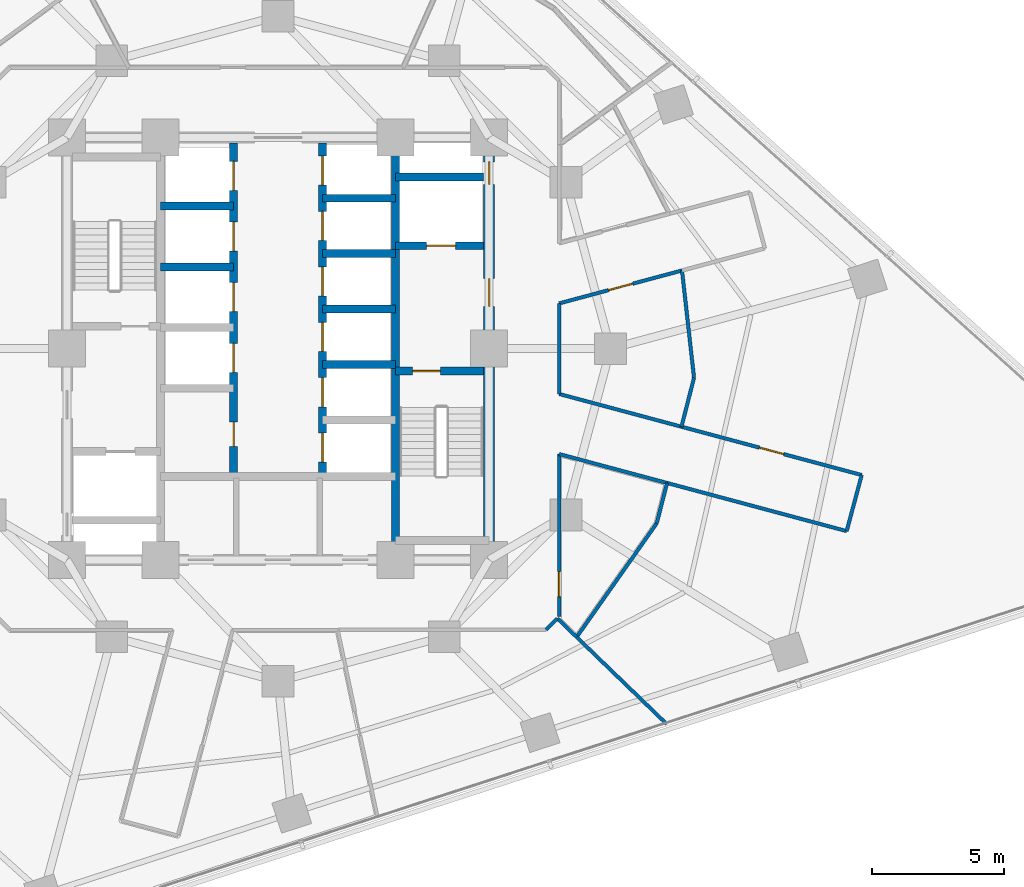
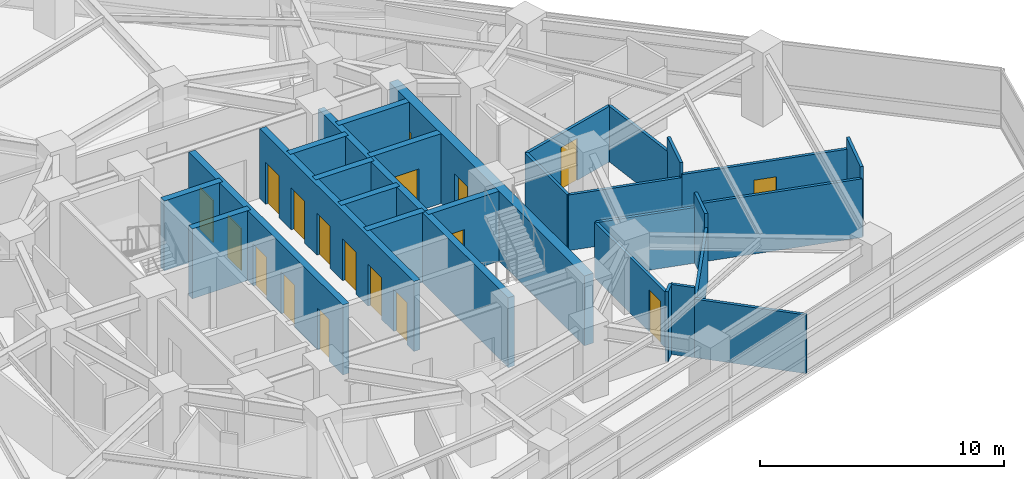
# One storey, part 8 of 13: 28 walls, 18 doors, 18 openings.
"""IFC4 building model written with IfcOpenShell, lengths in metres."""

from ifc_helpers import new_model, si_unit, direction, frame, frame_2d, origin, place, context, subcontext, project, spatial, rectangle, extrude, material, layer, layer_set, type_object, element, fill, save


model = new_model("IFC4")

# Units and contexts
model_context = context("Model", 3, precision=1e-05, world=origin(), true_north=direction((0.0, 1.0)))
body_context = subcontext(model_context, "Body", "Model", "MODEL_VIEW")
ifc_project = project(units=[si_unit("LENGTHUNIT", "METRE"), si_unit("AREAUNIT", "SQUARE_METRE"), si_unit("VOLUMEUNIT", "CUBIC_METRE"), si_unit("PLANEANGLEUNIT", "RADIAN"), si_unit("MASSUNIT", "GRAM", prefix="KILO")], contexts=[model_context])

# Site, building, storey
site_placement = place(None, origin())
site = spatial("IfcSite", under=ifc_project, at=site_placement, CompositionType="ELEMENT")
building_placement = place(site_placement, origin())
building = spatial("IfcBuilding", under=site, at=building_placement, Name="Terralouvre Media Tower", CompositionType="ELEMENT")
storey_placement = place(building_placement, frame((0.0, 0.0, 108.800048828125)))
storey = spatial("IfcBuildingStorey", under=building, at=storey_placement, Name="L27", CompositionType="ELEMENT", Elevation=108.800048828125)

# Wall
ifc_material_1 = material(Name="Concrete C50/60", Category="concrete")
ifc_layer_1 = layer(ifc_material_1, 0.300048828125, Name="Core Internal Shaft Wall CW-300")
ifc_layer_set_1 = layer_set([ifc_layer_1], Name="Concrete C50/60")
wall_type_1 = type_object("IfcWallType", Name="Core Internal Shaft Wall CW-300", PredefinedType="SHEAR", material=ifc_layer_set_1)
wall_1_placement = place(storey_placement, frame((4.449951171875, -7.7900390625, 0.0), z_axis=(0.0, 0.0, 1.0), x_axis=(0.0, 1.0, 0.0)))
element("IfcWall", 1, at=wall_1_placement, inside=storey, type_object=wall_type_1, Name="L27 Core Shaft Wall SPE", PredefinedType="SHEAR", context=body_context, shape_type="SweptSolid", body=[
    extrude(rectangle(XDim=15.580078125, YDim=0.300048828125, at=frame_2d((7.7900390625, 0.0))), origin(), (0.0, 0.0, 1.0), 3.5),
])

# Wall, opening, door
wall_2_placement = place(storey_placement, frame((4.449951171875, -0.85009765625, 0.0), z_axis=(0.0, 0.0, 1.0), x_axis=(1.0, 0.0, 0.0)))
wall_2 = element("IfcWall", 2, at=wall_2_placement, inside=storey, type_object=wall_type_1, Name="L27 Core Shaft Wall ST2D", PredefinedType="SHEAR", context=body_context, shape_type="SweptSolid", body=[
    extrude(rectangle(XDim=3.340087890625, YDim=0.300048828125, at=frame_2d((1.669921875, 0.0))), origin(), (0.0, 0.0, 1.0), 3.5),
])
opening_1_placement = place(wall_2_placement, frame((0.64990234375, 0.0, 0.0)))
opening_1 = element("IfcOpeningElement", 3, at=opening_1_placement, cuts=wall_2, Name="Opening FD-01-105X215", PredefinedType="OPENING", context=body_context, shape_type="SweptSolid", body=[
    extrude(rectangle(XDim=1.050048828125, YDim=2.14990234375, at=frame_2d((0.52490234375, 1.074951171875))), frame((0.0, 0.159912109375, 0.0), z_axis=(0.0, -1.0, 0.0), x_axis=(1.0, 0.0, 0.0)), (0.0, 0.0, 1.0), 0.320068359375),
])
ifc_material_2 = material(Name="Galvanised steel fire-resisting leaf", Category="steel")
door_type_1 = type_object("IfcDoorType", Name="Stair and Firefighting Lobby Fire Door FD-01 (1050x2150)", OperationType="NOTDEFINED", PredefinedType="DOOR", material=ifc_material_2)
door_1_placement = place(opening_1_placement, origin())
door_1 = element("IfcDoor", 4, at=door_1_placement, inside=storey, type_object=door_type_1, Name="L27 ST-02 Exit Stair Door", OperationType="SINGLE_SWING_RIGHT", OverallHeight=2.14990234375, OverallWidth=1.050048828125, PredefinedType="DOOR", context=body_context, shape_type="SweptSolid", body=[
    extrude(rectangle(XDim=1.050048828125, YDim=2.14990234375, at=frame_2d((0.52490234375, 1.074951171875))), frame((0.0, 0.02490234375, 0.0), z_axis=(0.0, -1.0, 0.0), x_axis=(1.0, 0.0, 0.0)), (0.0, 0.0, 1.0), 0.050048828125),
])
fill(opening_1, door_1)

wall_3_placement = place(storey_placement, frame((4.449951171875, 3.89990234375, 0.0), z_axis=(0.0, 0.0, 1.0), x_axis=(1.0, 0.0, 0.0)))
wall_3 = element("IfcWall", 5, at=wall_3_placement, inside=storey, type_object=wall_type_1, Name="L27 Core Shaft Wall FF2S", PredefinedType="SHEAR", context=body_context, shape_type="SweptSolid", body=[
    extrude(rectangle(XDim=3.340087890625, YDim=0.300048828125, at=frame_2d((1.669921875, 0.0))), origin(), (0.0, 0.0, 1.0), 3.5),
])
opening_2_placement = place(wall_3_placement, frame((1.179931640625, 0.0, 0.0)))
opening_2 = element("IfcOpeningElement", 6, at=opening_2_placement, cuts=wall_3, Name="Opening LD-FF", PredefinedType="OPENING", context=body_context, shape_type="SweptSolid", body=[
    extrude(rectangle(XDim=1.10009765625, YDim=2.10009765625, at=frame_2d((0.550048828125, 1.050048828125))), frame((0.0, 0.159912109375, 0.0), z_axis=(0.0, -1.0, 0.0), x_axis=(1.0, 0.0, 0.0)), (0.0, 0.0, 1.0), 0.320068359375),
])
ifc_material_3 = material(Name="Stainless steel 316 handrail and balustrade", Category="steel")
door_type_2 = type_object("IfcDoorType", Name="Firefighting Lift Sliding Landing Door LD-FF", OperationType="SLIDING_TO_LEFT", PredefinedType="DOOR", material=ifc_material_3)
door_2_placement = place(opening_2_placement, origin())
door_2 = element("IfcDoor", 7, at=door_2_placement, inside=storey, type_object=door_type_2, Name="L27 Firefighting Lift FFL-02 Landing Door", OperationType="SLIDING_TO_LEFT", OverallHeight=2.10009765625, OverallWidth=1.10009765625, PredefinedType="DOOR", context=body_context, shape_type="SweptSolid", body=[
    extrude(rectangle(XDim=1.10009765625, YDim=2.10009765625, at=frame_2d((0.550048828125, 1.050048828125))), frame((0.0, 0.02490234375, 0.0), z_axis=(0.0, -1.0, 0.0), x_axis=(1.0, 0.0, 0.0)), (0.0, 0.0, 1.0), 0.050048828125),
])
fill(opening_2, door_2)

# Wall
wall_4_placement = place(storey_placement, frame((4.449951171875, 6.5, 0.0), z_axis=(0.0, 0.0, 1.0), x_axis=(1.0, 0.0, 0.0)))
element("IfcWall", 8, at=wall_4_placement, inside=storey, type_object=wall_type_1, Name="L27 Core Shaft Wall FF2N", PredefinedType="SHEAR", context=body_context, shape_type="SweptSolid", body=[
    extrude(rectangle(XDim=3.340087890625, YDim=0.300048828125, at=frame_2d((1.669921875, 0.0))), origin(), (0.0, 0.0, 1.0), 3.5),
])

# Wall, openings, doors
wall_5_placement = place(storey_placement, frame((-1.679931640625, -4.85009765625, 0.0), z_axis=(0.0, 0.0, 1.0), x_axis=(0.0, 1.0, 0.0)))
wall_5 = element("IfcWall", 9, at=wall_5_placement, inside=storey, type_object=wall_type_1, Name="L27 Core Shaft Wall LBW", PredefinedType="SHEAR", context=body_context, shape_type="SweptSolid", body=[
    extrude(rectangle(XDim=12.64013671875, YDim=0.300048828125, at=frame_2d((6.320068359375, 0.0))), origin(), (0.0, 0.0, 1.0), 3.5),
])
opening_3_placement = place(wall_5_placement, frame((3.949951171875, 0.0, 0.0)))
opening_3 = element("IfcOpeningElement", 10, at=opening_3_placement, cuts=wall_5, Name="Opening LD-PL", PredefinedType="OPENING", context=body_context, shape_type="SweptSolid", body=[
    extrude(rectangle(XDim=1.10009765625, YDim=2.10009765625, at=frame_2d((0.550048828125, 1.050048828125))), frame((0.0, 0.159912109375, 0.0), z_axis=(0.0, -1.0, 0.0), x_axis=(1.0, 0.0, 0.0)), (0.0, 0.0, 1.0), 0.320068359375),
])
opening_4_placement = place(wall_5_placement, frame((6.25, 0.0, 0.0)))
opening_4 = element("IfcOpeningElement", 11, at=opening_4_placement, cuts=wall_5, Name="Opening LD-PL", PredefinedType="OPENING", context=body_context, shape_type="SweptSolid", body=[
    extrude(rectangle(XDim=1.10009765625, YDim=2.10009765625, at=frame_2d((0.550048828125, 1.050048828125))), frame((0.0, 0.159912109375, 0.0), z_axis=(0.0, -1.0, 0.0), x_axis=(1.0, 0.0, 0.0)), (0.0, 0.0, 1.0), 0.320068359375),
])
opening_5_placement = place(wall_5_placement, frame((8.550048828125, 0.0, 0.0)))
opening_5 = element("IfcOpeningElement", 12, at=opening_5_placement, cuts=wall_5, Name="Opening LD-PL", PredefinedType="OPENING", context=body_context, shape_type="SweptSolid", body=[
    extrude(rectangle(XDim=1.10009765625, YDim=2.10009765625, at=frame_2d((0.550048828125, 1.050048828125))), frame((0.0, 0.159912109375, 0.0), z_axis=(0.0, -1.0, 0.0), x_axis=(1.0, 0.0, 0.0)), (0.0, 0.0, 1.0), 0.320068359375),
])
opening_6_placement = place(wall_5_placement, frame((10.85009765625, 0.0, 0.0)))
opening_6 = element("IfcOpeningElement", 13, at=opening_6_placement, cuts=wall_5, Name="Opening LD-PL", PredefinedType="OPENING", context=body_context, shape_type="SweptSolid", body=[
    extrude(rectangle(XDim=1.10009765625, YDim=2.10009765625, at=frame_2d((0.550048828125, 1.050048828125))), frame((0.0, 0.159912109375, 0.0), z_axis=(0.0, -1.0, 0.0), x_axis=(1.0, 0.0, 0.0)), (0.0, 0.0, 1.0), 0.320068359375),
])
opening_7_placement = place(wall_5_placement, frame((1.14990234375, 0.0, 0.0)))
opening_7 = element("IfcOpeningElement", 14, at=opening_7_placement, cuts=wall_5, Name="Opening FD-05-92X210", PredefinedType="OPENING", context=body_context, shape_type="SweptSolid", body=[
    extrude(rectangle(XDim=0.919921875, YDim=2.10009765625, at=frame_2d((0.4599609375, 1.050048828125))), frame((0.0, 0.159912109375, 0.0), z_axis=(0.0, -1.0, 0.0), x_axis=(1.0, 0.0, 0.0)), (0.0, 0.0, 1.0), 0.320068359375),
])
ifc_material_4 = material(Name="Galvanised steel fire-resisting leaf", Category="steel")
door_type_3 = type_object("IfcDoorType", Name="Core Accessible Closet Fire Door FD-05 (920x2100)", OperationType="NOTDEFINED", PredefinedType="DOOR", material=ifc_material_4)
door_3_placement = place(opening_7_placement, origin())
door_3 = element("IfcDoor", 15, at=door_3_placement, inside=storey, type_object=door_type_3, Name="L27 Core Cleaners Closet Door", OperationType="SINGLE_SWING_LEFT", OverallHeight=2.10009765625, OverallWidth=0.919921875, PredefinedType="DOOR", context=body_context, shape_type="SweptSolid", body=[
    extrude(rectangle(XDim=0.919921875, YDim=2.10009765625, at=frame_2d((0.4599609375, 1.050048828125))), frame((0.0, 0.02490234375, 0.0), z_axis=(0.0, -1.0, 0.0), x_axis=(1.0, 0.0, 0.0)), (0.0, 0.0, 1.0), 0.050048828125),
])
fill(opening_7, door_3)
ifc_material_5 = material(Name="Stainless steel 316 handrail and balustrade", Category="steel")
door_type_4 = type_object("IfcDoorType", Name="Passenger Lift Sliding Landing Door LD-PL", OperationType="SLIDING_TO_LEFT", PredefinedType="DOOR", material=ifc_material_5)
door_4_placement = place(opening_3_placement, origin())
door_4 = element("IfcDoor", 16, at=door_4_placement, inside=storey, type_object=door_type_4, Name="L27 Low-Rise Lift PL-L1 Landing Door", OperationType="SLIDING_TO_LEFT", OverallHeight=2.10009765625, OverallWidth=1.10009765625, PredefinedType="DOOR", context=body_context, shape_type="SweptSolid", body=[
    extrude(rectangle(XDim=1.10009765625, YDim=2.10009765625, at=frame_2d((0.550048828125, 1.050048828125))), frame((0.0, 0.02490234375, 0.0), z_axis=(0.0, -1.0, 0.0), x_axis=(1.0, 0.0, 0.0)), (0.0, 0.0, 1.0), 0.050048828125),
])
fill(opening_3, door_4)
door_5_placement = place(opening_4_placement, origin())
door_5 = element("IfcDoor", 17, at=door_5_placement, inside=storey, type_object=door_type_4, Name="L27 Low-Rise Lift PL-L2 Landing Door", OperationType="SLIDING_TO_LEFT", OverallHeight=2.10009765625, OverallWidth=1.10009765625, PredefinedType="DOOR", context=body_context, shape_type="SweptSolid", body=[
    extrude(rectangle(XDim=1.10009765625, YDim=2.10009765625, at=frame_2d((0.550048828125, 1.050048828125))), frame((0.0, 0.02490234375, 0.0), z_axis=(0.0, -1.0, 0.0), x_axis=(1.0, 0.0, 0.0)), (0.0, 0.0, 1.0), 0.050048828125),
])
fill(opening_4, door_5)
door_6_placement = place(opening_5_placement, origin())
door_6 = element("IfcDoor", 18, at=door_6_placement, inside=storey, type_object=door_type_4, Name="L27 Low-Rise Lift PL-L3 Landing Door", OperationType="SLIDING_TO_LEFT", OverallHeight=2.10009765625, OverallWidth=1.10009765625, PredefinedType="DOOR", context=body_context, shape_type="SweptSolid", body=[
    extrude(rectangle(XDim=1.10009765625, YDim=2.10009765625, at=frame_2d((0.550048828125, 1.050048828125))), frame((0.0, 0.02490234375, 0.0), z_axis=(0.0, -1.0, 0.0), x_axis=(1.0, 0.0, 0.0)), (0.0, 0.0, 1.0), 0.050048828125),
])
fill(opening_5, door_6)
door_7_placement = place(opening_6_placement, origin())
door_7 = element("IfcDoor", 19, at=door_7_placement, inside=storey, type_object=door_type_4, Name="L27 Low-Rise Lift PL-L4 Landing Door", OperationType="SLIDING_TO_LEFT", OverallHeight=2.10009765625, OverallWidth=1.10009765625, PredefinedType="DOOR", context=body_context, shape_type="SweptSolid", body=[
    extrude(rectangle(XDim=1.10009765625, YDim=2.10009765625, at=frame_2d((0.550048828125, 1.050048828125))), frame((0.0, 0.02490234375, 0.0), z_axis=(0.0, -1.0, 0.0), x_axis=(1.0, 0.0, 0.0)), (0.0, 0.0, 1.0), 0.050048828125),
])
fill(opening_6, door_7)

wall_6_placement = place(storey_placement, frame((1.679931640625, -4.85009765625, 0.0), z_axis=(0.0, 0.0, 1.0), x_axis=(0.0, 1.0, 0.0)))
wall_6 = element("IfcWall", 20, at=wall_6_placement, inside=storey, type_object=wall_type_1, Name="L27 Core Shaft Wall LBE", PredefinedType="SHEAR", context=body_context, shape_type="SweptSolid", body=[
    extrude(rectangle(XDim=12.64013671875, YDim=0.300048828125, at=frame_2d((6.320068359375, 0.0))), origin(), (0.0, 0.0, 1.0), 3.5),
])
opening_8_placement = place(wall_6_placement, frame((0.550048828125, 0.0, 0.0)))
opening_8 = element("IfcOpeningElement", 21, at=opening_8_placement, cuts=wall_6, Name="Opening LD-PL", PredefinedType="OPENING", context=body_context, shape_type="SweptSolid", body=[
    extrude(rectangle(XDim=1.10009765625, YDim=2.10009765625, at=frame_2d((0.550048828125, 1.050048828125))), frame((0.0, 0.159912109375, 0.0), z_axis=(0.0, -1.0, 0.0), x_axis=(1.0, 0.0, 0.0)), (0.0, 0.0, 1.0), 0.320068359375),
])
opening_9_placement = place(wall_6_placement, frame((2.64990234375, 0.0, 0.0)))
opening_9 = element("IfcOpeningElement", 22, at=opening_9_placement, cuts=wall_6, Name="Opening LD-PL", PredefinedType="OPENING", context=body_context, shape_type="SweptSolid", body=[
    extrude(rectangle(XDim=1.10009765625, YDim=2.10009765625, at=frame_2d((0.550048828125, 1.050048828125))), frame((0.0, 0.159912109375, 0.0), z_axis=(0.0, -1.0, 0.0), x_axis=(1.0, 0.0, 0.0)), (0.0, 0.0, 1.0), 0.320068359375),
])
opening_10_placement = place(wall_6_placement, frame((4.75, 0.0, 0.0)))
opening_10 = element("IfcOpeningElement", 23, at=opening_10_placement, cuts=wall_6, Name="Opening LD-PL", PredefinedType="OPENING", context=body_context, shape_type="SweptSolid", body=[
    extrude(rectangle(XDim=1.10009765625, YDim=2.10009765625, at=frame_2d((0.550048828125, 1.050048828125))), frame((0.0, 0.159912109375, 0.0), z_axis=(0.0, -1.0, 0.0), x_axis=(1.0, 0.0, 0.0)), (0.0, 0.0, 1.0), 0.320068359375),
])
opening_11_placement = place(wall_6_placement, frame((6.85009765625, 0.0, 0.0)))
opening_11 = element("IfcOpeningElement", 24, at=opening_11_placement, cuts=wall_6, Name="Opening LD-PL", PredefinedType="OPENING", context=body_context, shape_type="SweptSolid", body=[
    extrude(rectangle(XDim=1.10009765625, YDim=2.10009765625, at=frame_2d((0.550048828125, 1.050048828125))), frame((0.0, 0.159912109375, 0.0), z_axis=(0.0, -1.0, 0.0), x_axis=(1.0, 0.0, 0.0)), (0.0, 0.0, 1.0), 0.320068359375),
])
opening_12_placement = place(wall_6_placement, frame((8.949951171875, 0.0, 0.0)))
opening_12 = element("IfcOpeningElement", 25, at=opening_12_placement, cuts=wall_6, Name="Opening LD-PL", PredefinedType="OPENING", context=body_context, shape_type="SweptSolid", body=[
    extrude(rectangle(XDim=1.10009765625, YDim=2.10009765625, at=frame_2d((0.550048828125, 1.050048828125))), frame((0.0, 0.159912109375, 0.0), z_axis=(0.0, -1.0, 0.0), x_axis=(1.0, 0.0, 0.0)), (0.0, 0.0, 1.0), 0.320068359375),
])
opening_13_placement = place(wall_6_placement, frame((11.050048828125, 0.0, 0.0)))
opening_13 = element("IfcOpeningElement", 26, at=opening_13_placement, cuts=wall_6, Name="Opening LD-PL", PredefinedType="OPENING", context=body_context, shape_type="SweptSolid", body=[
    extrude(rectangle(XDim=1.10009765625, YDim=2.10009765625, at=frame_2d((0.550048828125, 1.050048828125))), frame((0.0, 0.159912109375, 0.0), z_axis=(0.0, -1.0, 0.0), x_axis=(1.0, 0.0, 0.0)), (0.0, 0.0, 1.0), 0.320068359375),
])
door_8_placement = place(opening_8_placement, origin())
door_8 = element("IfcDoor", 27, at=door_8_placement, inside=storey, type_object=door_type_4, Name="L27 High-Rise Lift PL-H1 Landing Door", OperationType="SLIDING_TO_LEFT", OverallHeight=2.10009765625, OverallWidth=1.10009765625, PredefinedType="DOOR", context=body_context, shape_type="SweptSolid", body=[
    extrude(rectangle(XDim=1.10009765625, YDim=2.10009765625, at=frame_2d((0.550048828125, 1.050048828125))), frame((0.0, 0.02490234375, 0.0), z_axis=(0.0, -1.0, 0.0), x_axis=(1.0, 0.0, 0.0)), (0.0, 0.0, 1.0), 0.050048828125),
])
fill(opening_8, door_8)
door_9_placement = place(opening_9_placement, origin())
door_9 = element("IfcDoor", 28, at=door_9_placement, inside=storey, type_object=door_type_4, Name="L27 High-Rise Lift PL-H2 Landing Door", OperationType="SLIDING_TO_LEFT", OverallHeight=2.10009765625, OverallWidth=1.10009765625, PredefinedType="DOOR", context=body_context, shape_type="SweptSolid", body=[
    extrude(rectangle(XDim=1.10009765625, YDim=2.10009765625, at=frame_2d((0.550048828125, 1.050048828125))), frame((0.0, 0.02490234375, 0.0), z_axis=(0.0, -1.0, 0.0), x_axis=(1.0, 0.0, 0.0)), (0.0, 0.0, 1.0), 0.050048828125),
])
fill(opening_9, door_9)
door_10_placement = place(opening_10_placement, origin())
door_10 = element("IfcDoor", 29, at=door_10_placement, inside=storey, type_object=door_type_4, Name="L27 High-Rise Lift PL-H3 Landing Door", OperationType="SLIDING_TO_LEFT", OverallHeight=2.10009765625, OverallWidth=1.10009765625, PredefinedType="DOOR", context=body_context, shape_type="SweptSolid", body=[
    extrude(rectangle(XDim=1.10009765625, YDim=2.10009765625, at=frame_2d((0.550048828125, 1.050048828125))), frame((0.0, 0.02490234375, 0.0), z_axis=(0.0, -1.0, 0.0), x_axis=(1.0, 0.0, 0.0)), (0.0, 0.0, 1.0), 0.050048828125),
])
fill(opening_10, door_10)
door_11_placement = place(opening_11_placement, origin())
door_11 = element("IfcDoor", 30, at=door_11_placement, inside=storey, type_object=door_type_4, Name="L27 Mid-Rise Lift PL-M1 Landing Door", OperationType="SLIDING_TO_LEFT", OverallHeight=2.10009765625, OverallWidth=1.10009765625, PredefinedType="DOOR", context=body_context, shape_type="SweptSolid", body=[
    extrude(rectangle(XDim=1.10009765625, YDim=2.10009765625, at=frame_2d((0.550048828125, 1.050048828125))), frame((0.0, 0.02490234375, 0.0), z_axis=(0.0, -1.0, 0.0), x_axis=(1.0, 0.0, 0.0)), (0.0, 0.0, 1.0), 0.050048828125),
])
fill(opening_11, door_11)
door_12_placement = place(opening_12_placement, origin())
door_12 = element("IfcDoor", 31, at=door_12_placement, inside=storey, type_object=door_type_4, Name="L27 Mid-Rise Lift PL-M2 Landing Door", OperationType="SLIDING_TO_LEFT", OverallHeight=2.10009765625, OverallWidth=1.10009765625, PredefinedType="DOOR", context=body_context, shape_type="SweptSolid", body=[
    extrude(rectangle(XDim=1.10009765625, YDim=2.10009765625, at=frame_2d((0.550048828125, 1.050048828125))), frame((0.0, 0.02490234375, 0.0), z_axis=(0.0, -1.0, 0.0), x_axis=(1.0, 0.0, 0.0)), (0.0, 0.0, 1.0), 0.050048828125),
])
fill(opening_12, door_12)
door_13_placement = place(opening_13_placement, origin())
door_13 = element("IfcDoor", 32, at=door_13_placement, inside=storey, type_object=door_type_4, Name="L27 Mid-Rise Lift PL-M3 Landing Door", OperationType="SLIDING_TO_LEFT", OverallHeight=2.10009765625, OverallWidth=1.10009765625, PredefinedType="DOOR", context=body_context, shape_type="SweptSolid", body=[
    extrude(rectangle(XDim=1.10009765625, YDim=2.10009765625, at=frame_2d((0.550048828125, 1.050048828125))), frame((0.0, 0.02490234375, 0.0), z_axis=(0.0, -1.0, 0.0), x_axis=(1.0, 0.0, 0.0)), (0.0, 0.0, 1.0), 0.050048828125),
])
fill(opening_13, door_13)

# Walls
for number, where, z_axis, x_axis, name in (
    (33, (-4.449951171875, 3.10009765625, 0.0), (0.0, 0.0, 1.0), (1.0, 0.0, 0.0), "L27 Core Shaft Wall PLLD2"),
    (34, (-4.449951171875, 5.39990234375, 0.0), (0.0, 0.0, 1.0), (1.0, 0.0, 0.0), "L27 Core Shaft Wall PLLD3"),
    (35, (1.679931640625, 1.5, 0.0), (0.0, 0.0, 1.0), (1.0, 0.0, 0.0), "L27 Core Shaft Wall PLMD0"),
    (36, (1.679931640625, 3.60009765625, 0.0), (0.0, 0.0, 1.0), (1.0, 0.0, 0.0), "L27 Core Shaft Wall PLMD1"),
    (37, (1.679931640625, 5.699951171875, 0.0), (0.0, 0.0, 1.0), (1.0, 0.0, 0.0), "L27 Core Shaft Wall PLMD2"),
    (38, (1.679931640625, -0.60009765625, 0.0), (0.0, 0.0, 1.0), (1.0, 0.0, 0.0), "L27 Core Shaft Wall PLHD2"),
):
    element("IfcWall", number, at=place(storey_placement, frame(where, z_axis=z_axis, x_axis=x_axis)), inside=storey, type_object=wall_type_1, Name=name, PredefinedType="SHEAR", context=body_context, shape_type="SweptSolid", body=[
        extrude(rectangle(XDim=2.77001953125, YDim=0.300048828125, at=frame_2d((1.385009765625, 0.0))), origin(), (0.0, 0.0, 1.0), 3.5),
    ])

# Wall, openings, doors
ifc_material_6 = material(Name="Concrete C60/75", Category="concrete")
ifc_layer_2 = layer(ifc_material_6, 0.419921875, Name="Core Reinforced Concrete Shear Wall CW-420")
ifc_layer_set_2 = layer_set([ifc_layer_2], Name="Concrete C60/75")
wall_type_2 = type_object("IfcWallType", Name="Core Reinforced Concrete Shear Wall CW-420", PredefinedType="SHEAR", material=ifc_layer_set_2)
wall_7_placement = place(storey_placement, frame((8.0, -8.0, 0.0), z_axis=(0.0, 0.0, 1.0), x_axis=(0.0, 1.0, 0.0)))
wall_7 = element("IfcWall", 39, at=wall_7_placement, inside=storey, type_object=wall_type_2, Name="L27 E Core Shear Wall", PredefinedType="SHEAR", context=body_context, shape_type="SweptSolid", body=[
    extrude(rectangle(XDim=16.0, YDim=0.419921875, at=frame_2d((8.0, 0.0))), origin(), (0.0, 0.0, 1.0), 3.5),
])
opening_14_placement = place(wall_7_placement, frame((9.60009765625, 0.0, 0.0)))
opening_14 = element("IfcOpeningElement", 40, at=opening_14_placement, cuts=wall_7, Name="Opening FD-01-105X215", PredefinedType="OPENING", context=body_context, shape_type="SweptSolid", body=[
    extrude(rectangle(XDim=1.050048828125, YDim=2.14990234375, at=frame_2d((0.52490234375, 1.074951171875))), frame((0.0, 0.219970703125, 0.0), z_axis=(0.0, -1.0, 0.0), x_axis=(1.0, 0.0, 0.0)), (0.0, 0.0, 1.0), 0.43994140625),
])
opening_15_placement = place(wall_7_placement, frame((14.228515625, 0.0, 0.0)))
opening_15 = element("IfcOpeningElement", 41, at=opening_15_placement, cuts=wall_7, Name="Opening TD-R1", PredefinedType="OPENING", context=body_context, shape_type="SweptSolid", body=[
    extrude(rectangle(XDim=0.85009765625, YDim=2.02001953125, at=frame_2d((0.425048828125, 1.010009765625))), frame((0.0, 0.219970703125, 0.0), z_axis=(0.0, -1.0, 0.0), x_axis=(1.0, 0.0, 0.0)), (0.0, 0.0, 1.0), 0.43994140625),
])
ifc_material_7 = material(Name="Galvanised steel fire-resisting leaf", Category="steel")
door_type_5 = type_object("IfcDoorType", Name="Riser Inspection Access Trapdoor TD-R1", OperationType="NOTDEFINED", PredefinedType="TRAPDOOR", material=ifc_material_7)
door_14_placement = place(opening_15_placement, origin())
door_14 = element("IfcDoor", 42, at=door_14_placement, inside=storey, type_object=door_type_5, Name="L27 East Comms Riser Access Trapdoor", OperationType="SINGLE_SWING_RIGHT", OverallHeight=2.02001953125, OverallWidth=0.85009765625, PredefinedType="TRAPDOOR", context=body_context, shape_type="SweptSolid", body=[
    extrude(rectangle(XDim=0.85009765625, YDim=2.02001953125, at=frame_2d((0.425048828125, 1.010009765625))), frame((0.0, 0.02490234375, 0.0), z_axis=(0.0, -1.0, 0.0), x_axis=(1.0, 0.0, 0.0)), (0.0, 0.0, 1.0), 0.050048828125),
])
fill(opening_15, door_14)
door_15_placement = place(opening_14_placement, origin())
door_15 = element("IfcDoor", 43, at=door_15_placement, inside=storey, type_object=door_type_1, Name="L27 East Firefighting Lobby Entry Door", OperationType="SINGLE_SWING_LEFT", OverallHeight=2.14990234375, OverallWidth=1.050048828125, PredefinedType="DOOR", context=body_context, shape_type="SweptSolid", body=[
    extrude(rectangle(XDim=1.050048828125, YDim=2.14990234375, at=frame_2d((0.52490234375, 1.074951171875))), frame((0.0, 0.02490234375, 0.0), z_axis=(0.0, -1.0, 0.0), x_axis=(1.0, 0.0, 0.0)), (0.0, 0.0, 1.0), 0.050048828125),
])
fill(opening_14, door_15)

# Walls
ifc_material_8 = material(Name="Fire-rated gypsum board drywall partition")
ifc_layer_3 = layer(ifc_material_8, 0.135009765625, Name="Newsroom Acoustic Partition PT-135")
ifc_layer_set_3 = layer_set([ifc_layer_3], Name="Fire-rated gypsum board drywall partition")
wall_type_3 = type_object("IfcWallType", Name="Newsroom Acoustic Partition PT-135", PredefinedType="PARTITIONING", material=ifc_layer_set_3)
wall_8_placement = place(storey_placement, frame((14.739990234375, -5.087890625, 0.0), z_axis=(0.0, 0.0, 1.0), x_axis=(0.965895912523, -0.258930659002, 0.0)))
element("IfcWall", 44, at=wall_8_placement, inside=storey, type_object=wall_type_3, Name="L27 Interior Partition 008", PredefinedType="PARTITIONING", context=body_context, shape_type="SweptSolid", body=[
    extrude(rectangle(XDim=7.045166015625, YDim=0.135009765625, at=frame_2d((3.5224609375, 0.0))), origin(), (0.0, 0.0, 1.0), 2.93505859375),
])
wall_9_placement = place(storey_placement, frame((21.544921875, -6.912109375, 0.0), z_axis=(0.0, 0.0, 1.0), x_axis=(0.259105843213, 0.965848933329, 0.0)))
element("IfcWall", 45, at=wall_9_placement, inside=storey, type_object=wall_type_3, Name="L27 Interior Partition 009", PredefinedType="PARTITIONING", context=body_context, shape_type="SweptSolid", body=[
    extrude(rectangle(XDim=2.2001953125, YDim=0.135009765625, at=frame_2d((1.10009765625, 0.0))), origin(), (0.0, 0.0, 1.0), 3.5),
])

# Wall, opening, door
wall_10_placement = place(storey_placement, frame((22.114990234375, -4.787109375, 0.0), z_axis=(0.0, 0.0, 1.0), x_axis=(-0.965917838763, 0.258848853116, 0.0)))
wall_10 = element("IfcWall", 46, at=wall_10_placement, inside=storey, type_object=wall_type_3, Name="L27 Interior Partition 010", PredefinedType="PARTITIONING", context=body_context, shape_type="SweptSolid", body=[
    extrude(rectangle(XDim=7.070068359375, YDim=0.135009765625, at=frame_2d((3.53515625, 0.0))), origin(), (0.0, 0.0, 1.0), 2.93505859375),
])
opening_16_placement = place(wall_10_placement, frame((3.06005859375, 0.0, 0.0)))
opening_16 = element("IfcOpeningElement", 47, at=opening_16_placement, cuts=wall_10, Name="Opening ID-02-95X210", PredefinedType="OPENING", context=body_context, shape_type="SweptSolid", body=[
    extrude(rectangle(XDim=0.949951171875, YDim=2.10009765625, at=frame_2d((0.47509765625, 1.050048828125))), frame((0.0, 0.077392578125, 0.0), z_axis=(0.0, -1.0, 0.0), x_axis=(1.0, 0.0, 0.0)), (0.0, 0.0, 1.0), 0.155029296875),
])
ifc_material_9 = material(Name="Engineered hardwood acoustic timber leaf", Category="wood")
door_type_6 = type_object("IfcDoorType", Name="Office and Meeting Room Door ID-02 (950x2100)", OperationType="NOTDEFINED", PredefinedType="DOOR", material=ifc_material_9)
door_16_placement = place(opening_16_placement, origin())
door_16 = element("IfcDoor", 48, at=door_16_placement, inside=storey, type_object=door_type_6, Name="L27 Wellness Supply Store 2 Door", OperationType="SINGLE_SWING_LEFT", OverallHeight=2.10009765625, OverallWidth=0.949951171875, PredefinedType="DOOR", context=body_context, shape_type="SweptSolid", body=[
    extrude(rectangle(XDim=0.949951171875, YDim=2.10009765625, at=frame_2d((0.47509765625, 1.050048828125))), frame((0.0, 0.02490234375, 0.0), z_axis=(0.0, -1.0, 0.0), x_axis=(1.0, 0.0, 0.0)), (0.0, 0.0, 1.0), 0.050048828125),
])
fill(opening_16, door_16)

wall_11_placement = place(storey_placement, frame((10.64990234375, -10.14990234375, 0.0), z_axis=(0.0, 0.0, 1.0), x_axis=(0.0, 1.0, 0.0)))
wall_11 = element("IfcWall", 49, at=wall_11_placement, inside=storey, type_object=wall_type_3, Name="L27 Interior Partition 014", PredefinedType="PARTITIONING", context=body_context, shape_type="SweptSolid", body=[
    extrude(rectangle(XDim=6.157958984375, YDim=0.135009765625, at=frame_2d((3.0791015625, 0.0))), origin(), (0.0, 0.0, 1.0), 2.784912109375),
])
opening_17_placement = place(wall_11_placement, frame((0.756591796875, 0.0, 0.0)))
opening_17 = element("IfcOpeningElement", 50, at=opening_17_placement, cuts=wall_11, Name="Opening ID-02-95X210", PredefinedType="OPENING", context=body_context, shape_type="SweptSolid", body=[
    extrude(rectangle(XDim=0.949951171875, YDim=2.10009765625, at=frame_2d((0.47509765625, 1.050048828125))), frame((0.0, 0.077392578125, 0.0), z_axis=(0.0, -1.0, 0.0), x_axis=(1.0, 0.0, 0.0)), (0.0, 0.0, 1.0), 0.155029296875),
])
door_17_placement = place(opening_17_placement, origin())
door_17 = element("IfcDoor", 51, at=door_17_placement, inside=storey, type_object=door_type_6, Name="L27 Club Reading Library 3 Door", OperationType="SINGLE_SWING_RIGHT", OverallHeight=2.10009765625, OverallWidth=0.949951171875, PredefinedType="DOOR", context=body_context, shape_type="SweptSolid", body=[
    extrude(rectangle(XDim=0.949951171875, YDim=2.10009765625, at=frame_2d((0.47509765625, 1.050048828125))), frame((0.0, 0.02490234375, 0.0), z_axis=(0.0, -1.0, 0.0), x_axis=(1.0, 0.0, 0.0)), (0.0, 0.0, 1.0), 0.050048828125),
])
fill(opening_17, door_17)

# Walls
wall_12_placement = place(storey_placement, frame((10.64990234375, -3.991943359375, 0.0), z_axis=(0.0, 0.0, 1.0), x_axis=(0.965925146235, -0.258821583086, 0.0)))
element("IfcWall", 52, at=wall_12_placement, inside=storey, type_object=wall_type_3, Name="L27 Interior Partition 015", PredefinedType="PARTITIONING", context=body_context, shape_type="SweptSolid", body=[
    extrude(rectangle(XDim=4.234375, YDim=0.135009765625, at=frame_2d((2.1171875, 0.0))), origin(), (0.0, 0.0, 1.0), 2.784912109375),
])
wall_13_placement = place(storey_placement, frame((15.285888671875, -2.95703125, 0.0), z_axis=(0.0, 0.0, 1.0), x_axis=(-0.965939651128, 0.258767444588, 0.0)))
element("IfcWall", 53, at=wall_13_placement, inside=storey, type_object=wall_type_3, Name="L27 Interior Partition 016", PredefinedType="PARTITIONING", context=body_context, shape_type="SweptSolid", body=[
    extrude(rectangle(XDim=4.799560546875, YDim=0.135009765625, at=frame_2d((2.39990234375, 0.0))), origin(), (0.0, 0.0, 1.0), 2.784912109375),
])
wall_14_placement = place(storey_placement, frame((10.64990234375, -1.715087890625, 0.0), z_axis=(0.0, 0.0, 1.0), x_axis=(0.0, 1.0, 0.0)))
element("IfcWall", 54, at=wall_14_placement, inside=storey, type_object=wall_type_3, Name="L27 Interior Partition 017", PredefinedType="PARTITIONING", context=body_context, shape_type="SweptSolid", body=[
    extrude(rectangle(XDim=3.43017578125, YDim=0.135009765625, at=frame_2d((1.715087890625, 0.0))), origin(), (0.0, 0.0, 1.0), 2.784912109375),
])

# Wall, opening, door
wall_15_placement = place(storey_placement, frame((10.64990234375, 1.715087890625, 0.0), z_axis=(0.0, 0.0, 1.0), x_axis=(0.965927482723, 0.258812863129, 0.0)))
wall_15 = element("IfcWall", 55, at=wall_15_placement, inside=storey, type_object=wall_type_3, Name="L27 Interior Partition 018", PredefinedType="PARTITIONING", context=body_context, shape_type="SweptSolid", body=[
    extrude(rectangle(XDim=4.8212890625, YDim=0.135009765625, at=frame_2d((2.41064453125, 0.0))), origin(), (0.0, 0.0, 1.0), 2.784912109375),
])
opening_18_placement = place(wall_15_placement, frame((1.935791015625, 0.0, 0.0)))
opening_18 = element("IfcOpeningElement", 56, at=opening_18_placement, cuts=wall_15, Name="Opening ID-02-95X210", PredefinedType="OPENING", context=body_context, shape_type="SweptSolid", body=[
    extrude(rectangle(XDim=0.949951171875, YDim=2.10009765625, at=frame_2d((0.47509765625, 1.050048828125))), frame((0.0, 0.077392578125, 0.0), z_axis=(0.0, -1.0, 0.0), x_axis=(1.0, 0.0, 0.0)), (0.0, 0.0, 1.0), 0.155029296875),
])
door_18_placement = place(opening_18_placement, origin())
door_18 = element("IfcDoor", 57, at=door_18_placement, inside=storey, type_object=door_type_6, Name="L27 Editorial Collaborative Open Office 4 Door", OperationType="SINGLE_SWING_LEFT", OverallHeight=2.10009765625, OverallWidth=0.949951171875, PredefinedType="DOOR", context=body_context, shape_type="SweptSolid", body=[
    extrude(rectangle(XDim=0.949951171875, YDim=2.10009765625, at=frame_2d((0.47509765625, 1.050048828125))), frame((0.0, 0.02490234375, 0.0), z_axis=(0.0, -1.0, 0.0), x_axis=(1.0, 0.0, 0.0)), (0.0, 0.0, 1.0), 0.050048828125),
])
fill(opening_18, door_18)

# Walls
wall_16_placement = place(storey_placement, frame((10.14990234375, -10.64990234375, 0.0), z_axis=(0.0, 0.0, 1.0), x_axis=(0.70730655707, 0.706906948845, 0.0)))
element("IfcWall", 58, at=wall_16_placement, inside=storey, type_object=wall_type_3, Name="L27 Interior Partition 026", PredefinedType="PARTITIONING", context=body_context, shape_type="SweptSolid", body=[
    extrude(rectangle(XDim=0.61083984375, YDim=0.135009765625, at=frame_2d((0.305419921875, 0.0))), origin(), (0.0, 0.0, 1.0), 3.5),
])
wall_17_placement = place(storey_placement, frame((14.739990234375, -5.087890625, 0.0), z_axis=(0.0, 0.0, 1.0), x_axis=(-0.247961711117, -0.968769833252, 0.0)))
element("IfcWall", 59, at=wall_17_placement, inside=storey, type_object=wall_type_3, Name="L27 Interior Partition 038", PredefinedType="PARTITIONING", context=body_context, shape_type="SweptSolid", body=[
    extrude(rectangle(XDim=1.576416015625, YDim=0.135009765625, at=frame_2d((0.7880859375, 0.0))), origin(), (0.0, 0.0, 1.0), 3.5),
])
wall_18_placement = place(storey_placement, frame((14.34912109375, -6.614990234375, 0.0), z_axis=(0.0, 0.0, 1.0), x_axis=(-0.575468172254, -0.817824175922, 0.0)))
element("IfcWall", 60, at=wall_18_placement, inside=storey, type_object=wall_type_3, Name="L27 Interior Partition 039", PredefinedType="PARTITIONING", context=body_context, shape_type="SweptSolid", body=[
    extrude(rectangle(XDim=5.2724609375, YDim=0.135009765625, at=frame_2d((2.63623046875, 0.0))), origin(), (0.0, 0.0, 1.0), 2.784912109375),
])
wall_19_placement = place(storey_placement, frame((15.306884765625, 2.962890625, 0.0), z_axis=(0.0, 0.0, 1.0), x_axis=(0.111256918124, -0.99379167745, 0.0)))
element("IfcWall", 61, at=wall_19_placement, inside=storey, type_object=wall_type_3, Name="L27 Interior Partition 040", PredefinedType="PARTITIONING", context=body_context, shape_type="SweptSolid", body=[
    extrude(rectangle(XDim=4.09033203125, YDim=0.135009765625, at=frame_2d((2.045166015625, 0.0))), origin(), (0.0, 0.0, 1.0), 2.784912109375),
])
wall_20_placement = place(storey_placement, frame((15.761962890625, -1.10205078125, 0.0), z_axis=(0.0, 0.0, 1.0), x_axis=(-0.248590042538, -0.968608791386, 0.0)))
element("IfcWall", 62, at=wall_20_placement, inside=storey, type_object=wall_type_3, Name="L27 Interior Partition 041", PredefinedType="PARTITIONING", context=body_context, shape_type="SweptSolid", body=[
    extrude(rectangle(XDim=1.9150390625, YDim=0.135009765625, at=frame_2d((0.95751953125, 0.0))), origin(), (0.0, 0.0, 1.0), 3.5),
])
wall_21_placement = place(storey_placement, frame((11.31494140625, -10.927001953125, 0.0), z_axis=(0.0, 0.0, 1.0), x_axis=(0.719365057957, -0.694632214478, 0.0)))
element("IfcWall", 63, at=wall_21_placement, inside=storey, type_object=wall_type_3, Name="L27 Interior Partition 043", PredefinedType="PARTITIONING", context=body_context, shape_type="SweptSolid", body=[
    extrude(rectangle(XDim=4.738037109375, YDim=0.135009765625, at=frame_2d((2.369140625, 0.0))), origin(), (0.0, 0.0, 1.0), 2.93505859375),
])
wall_22_placement = place(storey_placement, frame((10.58203125, -10.218017578125, 0.0), z_axis=(0.0, 0.0, 1.0), x_axis=(0.718741071219, -0.695277838381, 0.0)))
element("IfcWall", 64, at=wall_22_placement, inside=storey, type_object=wall_type_3, Name="L27 Interior Partition 046", PredefinedType="PARTITIONING", context=body_context, shape_type="SweptSolid", body=[
    extrude(rectangle(XDim=1.019775390625, YDim=0.135009765625, at=frame_2d((0.509765625, 0.0))), origin(), (0.0, 0.0, 1.0), 3.5),
])

save(model, "model.ifc")
